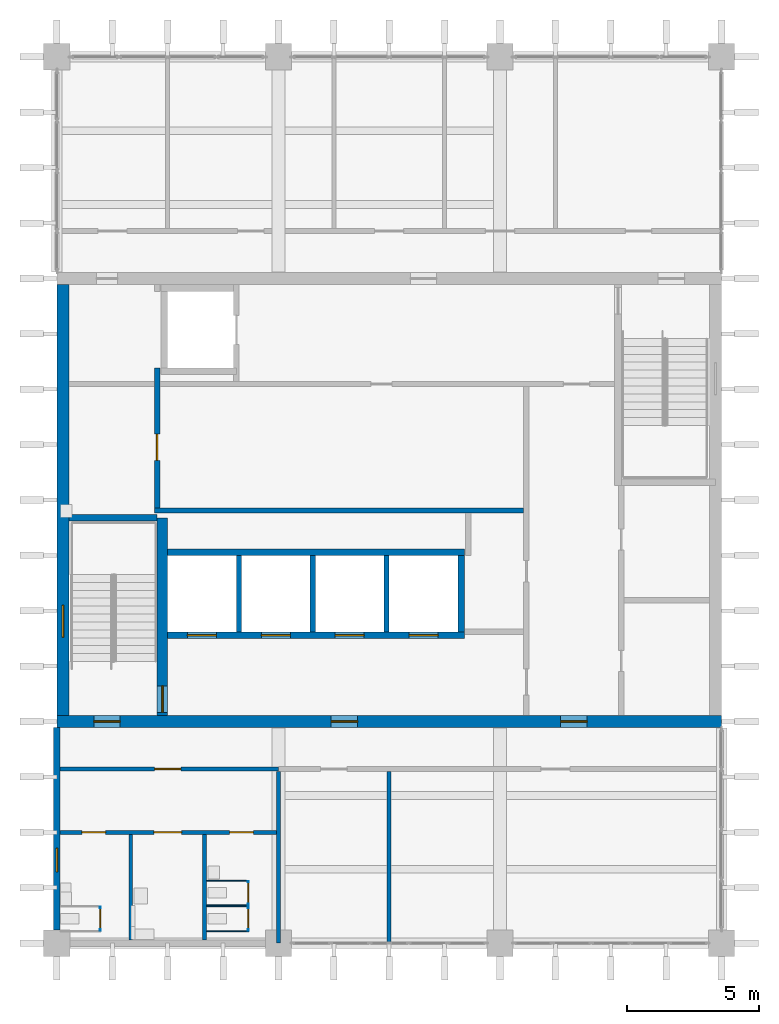
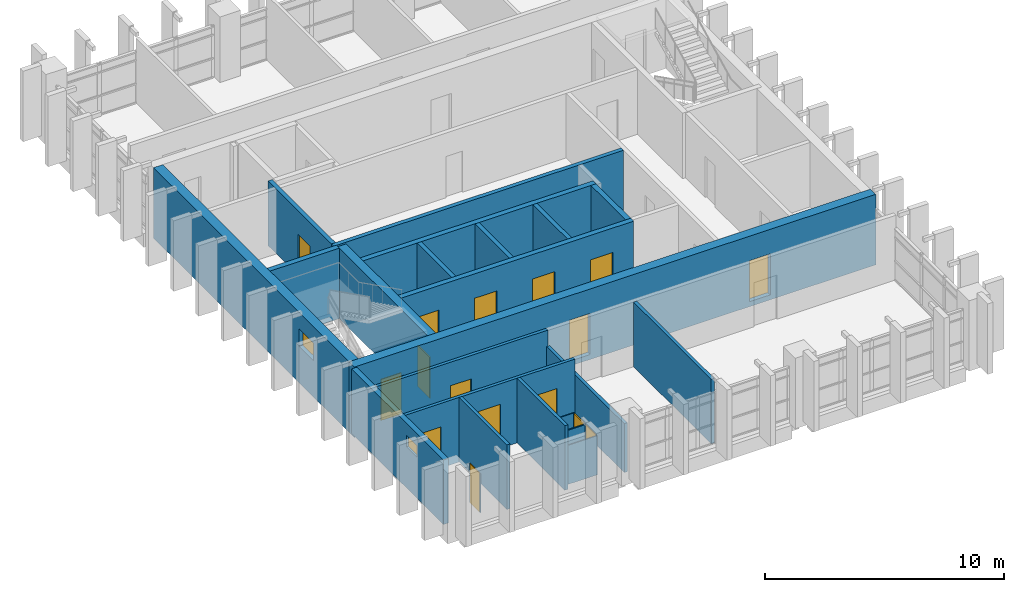
# One storey, part 7 of 11: 26 walls, 16 doors, 2 windows, 18 openings.
"""IFC4 building model written with IfcOpenShell, lengths in metres."""

from ifc_helpers import new_model, si_unit, direction, frame, frame_2d, origin, place, context, subcontext, project, spatial, rectangle, extrude, material, layer, layer_set, type_object, element, fill, save


model = new_model("IFC4")

# Units and contexts
model_context = context("Model", 3, precision=1e-05, world=origin(), true_north=direction((0.0, 1.0)))
body_context = subcontext(model_context, "Body", "Model", "MODEL_VIEW")
ifc_project = project(units=[si_unit("LENGTHUNIT", "METRE"), si_unit("AREAUNIT", "SQUARE_METRE"), si_unit("VOLUMEUNIT", "CUBIC_METRE"), si_unit("PLANEANGLEUNIT", "RADIAN"), si_unit("MASSUNIT", "GRAM", prefix="KILO")], contexts=[model_context])

# Site, building, storey
site_placement = place(None, origin())
site = spatial("IfcSite", under=ifc_project, at=site_placement, CompositionType="ELEMENT")
building_placement = place(site_placement, origin())
building = spatial("IfcBuilding", under=site, at=building_placement, Name="Rulbaag Community and Learning Centre", CompositionType="ELEMENT")
storey_placement = place(building_placement, frame((0.0, 0.0, 18.0)))
storey = spatial("IfcBuildingStorey", under=building, at=storey_placement, Name="L04", CompositionType="ELEMENT", Elevation=18.0)

# Wall, opening, door
ifc_material_1 = material(Name="High pressure laminate", Category="wood")
ifc_layer_1 = layer(ifc_material_1, 0.0400390625)
ifc_layer_set_1 = layer_set([ifc_layer_1], Name="CP-40")
wall_type_1 = type_object("IfcWallType", Name="CP-40", PredefinedType="PARTITIONING", material=ifc_layer_set_1)
wall_1_placement = place(storey_placement, frame((144.449951171875, 84.469970703125, 0.0), z_axis=(0.0, 0.0, 1.0), x_axis=(0.0, 1.0, 0.0)))
wall_1 = element("IfcWall", 1, at=wall_1_placement, inside=storey, type_object=wall_type_1, Name="Cubicle partition", PredefinedType="PARTITIONING", context=body_context, shape_type="SweptSolid", body=[
    extrude(rectangle(XDim=0.900146484375, YDim=0.0400390625, at=frame_2d((0.4501953125, 0.0))), origin(), (0.0, 0.0, 1.0), 2.0),
])
opening_1_placement = place(wall_1_placement, frame((0.050048828125, 0.0, 0.0)))
opening_1 = element("IfcOpeningElement", 2, at=opening_1_placement, cuts=wall_1, Name="Opening L04-D002", PredefinedType="OPENING", context=body_context, shape_type="SweptSolid", body=[
    extrude(rectangle(XDim=0.800048828125, YDim=2.0, at=frame_2d((0.39990234375, 1.0))), frame((0.0, 0.030029296875, 0.0), z_axis=(0.0, -1.0, 0.0), x_axis=(1.0, 0.0, 0.0)), (0.0, 0.0, 1.0), 0.06005859375),
])
door_type_1 = type_object("IfcDoorType", Name="DC-80", OperationType="SINGLE_SWING_LEFT", PredefinedType="DOOR", material=ifc_material_1)
door_1_placement = place(opening_1_placement, origin())
door_1 = element("IfcDoor", 3, at=door_1_placement, inside=storey, type_object=door_type_1, Name="Cubicle door", OperationType="SINGLE_SWING_LEFT", OverallHeight=2.0, OverallWidth=0.800048828125, PredefinedType="DOOR", context=body_context, shape_type="SweptSolid", body=[
    extrude(rectangle(XDim=0.800048828125, YDim=2.0, at=frame_2d((0.39990234375, 1.0))), frame((0.0, 0.019775390625, 0.0), z_axis=(0.0, -1.0, 0.0), x_axis=(1.0, 0.0, 0.0)), (0.0, 0.0, 1.0), 0.03955078125),
])
fill(opening_1, door_1)

# Walls
for number, where, z_axis, x_axis, name in (
    (4, (148.47509765625, 84.449951171875, 0.0), (0.0, 0.0, 1.0), (1.0, 0.0, 0.0), "Cubicle partition"),
    (5, (148.47509765625, 85.389892578125, 0.0), (0.0, 0.0, 1.0), (1.0, 0.0, 0.0), "Cubicle partition"),
):
    element("IfcWall", number, at=place(storey_placement, frame(where, z_axis=z_axis, x_axis=x_axis)), inside=storey, type_object=wall_type_1, Name=name, PredefinedType="PARTITIONING", context=body_context, shape_type="SweptSolid", body=[
        extrude(rectangle(XDim=1.594970703125, YDim=0.0400390625, at=frame_2d((0.79736328125, 0.0))), origin(), (0.0, 0.0, 1.0), 2.0),
    ])

# Wall, opening, door
wall_2_placement = place(storey_placement, frame((150.050048828125, 84.469970703125, 0.0), z_axis=(0.0, 0.0, 1.0), x_axis=(0.0, 1.0, 0.0)))
wall_2 = element("IfcWall", 6, at=wall_2_placement, inside=storey, type_object=wall_type_1, Name="Cubicle partition", PredefinedType="PARTITIONING", context=body_context, shape_type="SweptSolid", body=[
    extrude(rectangle(XDim=0.900146484375, YDim=0.0400390625, at=frame_2d((0.4501953125, 0.0))), origin(), (0.0, 0.0, 1.0), 2.0),
])
opening_2_placement = place(wall_2_placement, frame((0.050048828125, 0.0, 0.0)))
opening_2 = element("IfcOpeningElement", 7, at=opening_2_placement, cuts=wall_2, Name="Opening L04-D013", PredefinedType="OPENING", context=body_context, shape_type="SweptSolid", body=[
    extrude(rectangle(XDim=0.800048828125, YDim=2.0, at=frame_2d((0.39990234375, 1.0))), frame((0.0, 0.030029296875, 0.0), z_axis=(0.0, -1.0, 0.0), x_axis=(1.0, 0.0, 0.0)), (0.0, 0.0, 1.0), 0.06005859375),
])
door_2_placement = place(opening_2_placement, origin())
door_2 = element("IfcDoor", 8, at=door_2_placement, inside=storey, type_object=door_type_1, Name="Cubicle door", OperationType="SINGLE_SWING_LEFT", OverallHeight=2.0, OverallWidth=0.800048828125, PredefinedType="DOOR", context=body_context, shape_type="SweptSolid", body=[
    extrude(rectangle(XDim=0.800048828125, YDim=2.0, at=frame_2d((0.39990234375, 1.0))), frame((0.0, 0.019775390625, 0.0), z_axis=(0.0, -1.0, 0.0), x_axis=(1.0, 0.0, 0.0)), (0.0, 0.0, 1.0), 0.03955078125),
])
fill(opening_2, door_2)

# Walls
for number, where, z_axis, x_axis, name in (
    (9, (148.47509765625, 85.429931640625, 0.0), (0.0, 0.0, 1.0), (1.0, 0.0, 0.0), "Cubicle partition"),
    (10, (148.47509765625, 86.3701171875, 0.0), (0.0, 0.0, 1.0), (1.0, 0.0, 0.0), "Cubicle partition"),
):
    element("IfcWall", number, at=place(storey_placement, frame(where, z_axis=z_axis, x_axis=x_axis)), inside=storey, type_object=wall_type_1, Name=name, PredefinedType="PARTITIONING", context=body_context, shape_type="SweptSolid", body=[
        extrude(rectangle(XDim=1.594970703125, YDim=0.0400390625, at=frame_2d((0.79736328125, 0.0))), origin(), (0.0, 0.0, 1.0), 2.0),
    ])

# Wall, opening, door
wall_3_placement = place(storey_placement, frame((150.050048828125, 85.449951171875, 0.0), z_axis=(0.0, 0.0, 1.0), x_axis=(0.0, 1.0, 0.0)))
wall_3 = element("IfcWall", 11, at=wall_3_placement, inside=storey, type_object=wall_type_1, Name="Cubicle partition", PredefinedType="PARTITIONING", context=body_context, shape_type="SweptSolid", body=[
    extrude(rectangle(XDim=0.900146484375, YDim=0.0400390625, at=frame_2d((0.4501953125, 0.0))), origin(), (0.0, 0.0, 1.0), 2.0),
])
opening_3_placement = place(wall_3_placement, frame((0.050048828125, 0.0, 0.0)))
opening_3 = element("IfcOpeningElement", 12, at=opening_3_placement, cuts=wall_3, Name="Opening L04-D014", PredefinedType="OPENING", context=body_context, shape_type="SweptSolid", body=[
    extrude(rectangle(XDim=0.800048828125, YDim=2.0, at=frame_2d((0.39990234375, 1.0))), frame((0.0, 0.030029296875, 0.0), z_axis=(0.0, -1.0, 0.0), x_axis=(1.0, 0.0, 0.0)), (0.0, 0.0, 1.0), 0.06005859375),
])
door_3_placement = place(opening_3_placement, origin())
door_3 = element("IfcDoor", 13, at=door_3_placement, inside=storey, type_object=door_type_1, Name="Cubicle door", OperationType="SINGLE_SWING_LEFT", OverallHeight=2.0, OverallWidth=0.800048828125, PredefinedType="DOOR", context=body_context, shape_type="SweptSolid", body=[
    extrude(rectangle(XDim=0.800048828125, YDim=2.0, at=frame_2d((0.39990234375, 1.0))), frame((0.0, 0.019775390625, 0.0), z_axis=(0.0, -1.0, 0.0), x_axis=(1.0, 0.0, 0.0)), (0.0, 0.0, 1.0), 0.03955078125),
])
fill(opening_3, door_3)

# Wall, opening, window
ifc_material_2 = material(Name="Concrete M40", Category="concrete")
ifc_layer_2 = layer(ifc_material_2, 0.25)
ifc_layer_set_2 = layer_set([ifc_layer_2], Name="EW-CONC250")
wall_type_2 = type_object("IfcWallType", Name="EW-CONC250", PredefinedType="STANDARD", material=ifc_layer_set_2)
wall_4_placement = place(storey_placement, frame((142.800048828125, 84.5, 0.0), z_axis=(0.0, 0.0, 1.0), x_axis=(0.0, 1.0, 0.0)))
wall_4 = element("IfcWall", 14, at=wall_4_placement, inside=storey, type_object=wall_type_2, Name="Board-marked concrete cladding wall BW", PredefinedType="STANDARD", context=body_context, shape_type="SweptSolid", body=[
    extrude(rectangle(XDim=7.675048828125, YDim=0.25, at=frame_2d((3.83740234375, 0.0))), origin(), (0.0, 0.0, 1.0), 3.300048828125),
])
opening_4_placement = place(wall_4_placement, frame((2.199951171875, 0.0, 2.10009765625)))
opening_4 = element("IfcOpeningElement", 15, at=opening_4_placement, cuts=wall_4, Name="Opening WN5", PredefinedType="OPENING", context=body_context, shape_type="SweptSolid", body=[
    extrude(rectangle(XDim=0.89990234375, YDim=0.60009765625, at=frame_2d((0.449951171875, 0.300048828125))), frame((0.0, 0.135009765625, 0.0), z_axis=(0.0, -1.0, 0.0), x_axis=(1.0, 0.0, 0.0)), (0.0, 0.0, 1.0), 0.27001953125),
])
ifc_material_3 = material(Name="Aluminium", Category="aluminium")
window_type_1 = type_object("IfcWindowType", Name="WK-09", PartitioningType="SINGLE_PANEL", PredefinedType="WINDOW", material=ifc_material_3)
window_1_placement = place(opening_4_placement, origin())
window_1 = element("IfcWindow", 16, at=window_1_placement, inside=storey, type_object=window_type_1, Name="Window WN5", OverallHeight=0.60009765625, OverallWidth=0.89990234375, PartitioningType="SINGLE_PANEL", PredefinedType="WINDOW", context=body_context, shape_type="SweptSolid", body=[
    extrude(rectangle(XDim=0.89990234375, YDim=0.60009765625, at=frame_2d((0.449951171875, 0.300048828125))), frame((0.0, 0.030029296875, 0.0), z_axis=(0.0, -1.0, 0.0), x_axis=(1.0, 0.0, 0.0)), (0.0, 0.0, 1.0), 0.06005859375),
])
fill(opening_4, window_1)

# Wall
ifc_material_4 = material(Name="Concrete blockwork", Category="masonry")
ifc_layer_3 = layer(ifc_material_4, 0.199951171875)
ifc_layer_set_3 = layer_set([ifc_layer_3], Name="FW-200 FIRE WALL 200")
wall_type_3 = type_object("IfcWallType", Name="FW-200 FIRE WALL 200", PredefinedType="SOLIDWALL", material=ifc_layer_set_3)
wall_5_placement = place(storey_placement, frame((146.5, 100.39990234375, 0.0), z_axis=(0.0, 0.0, 1.0), x_axis=(1.0, 0.0, 0.0)))
element("IfcWall", 17, at=wall_5_placement, inside=storey, type_object=wall_type_3, Name="Fire wall L04 8", PredefinedType="SOLIDWALL", context=body_context, shape_type="SweptSolid", body=[
    extrude(rectangle(XDim=14.0, YDim=0.199951171875, at=frame_2d((7.0, 0.0))), origin(), (0.0, 0.0, 1.0), 3.300048828125),
])

# Wall, opening, door
wall_6_placement = place(storey_placement, frame((146.60009765625, 100.5, 0.0), z_axis=(0.0, 0.0, 1.0), x_axis=(0.0, 1.0, 0.0)))
wall_6 = element("IfcWall", 18, at=wall_6_placement, inside=storey, type_object=wall_type_3, Name="Fire wall L04 12", PredefinedType="SOLIDWALL", context=body_context, shape_type="SweptSolid", body=[
    extrude(rectangle(XDim=5.300048828125, YDim=0.199951171875, at=frame_2d((2.64990234375, 0.0))), origin(), (0.0, 0.0, 1.0), 3.300048828125),
])
opening_5_placement = place(wall_6_placement, frame((1.800048828125, 0.0, 0.0)))
opening_5 = element("IfcOpeningElement", 19, at=opening_5_placement, cuts=wall_6, Name="Opening L04-D006", PredefinedType="OPENING", context=body_context, shape_type="SweptSolid", body=[
    extrude(rectangle(XDim=1.0, YDim=2.10009765625, at=frame_2d((0.5, 1.050048828125))), frame((0.0, 0.10986328125, 0.0), z_axis=(0.0, -1.0, 0.0), x_axis=(1.0, 0.0, 0.0)), (0.0, 0.0, 1.0), 0.219970703125),
])
ifc_material_5 = material(Name="Galvanised steel", Category="steel")
door_type_2 = type_object("IfcDoorType", Name="FD-1000 FIRE DOOR 1000 x 2100", OperationType="SINGLE_SWING_LEFT", PredefinedType="DOOR", material=ifc_material_5)
door_4_placement = place(opening_5_placement, origin())
door_4 = element("IfcDoor", 20, at=door_4_placement, inside=storey, type_object=door_type_2, Name="Door L04-D006", OperationType="SINGLE_SWING_LEFT", OverallHeight=2.10009765625, OverallWidth=1.0, PredefinedType="DOOR", context=body_context, shape_type="SweptSolid", body=[
    extrude(rectangle(XDim=1.0, YDim=2.10009765625, at=frame_2d((0.5, 1.050048828125))), frame((0.0, 0.02490234375, 0.0), z_axis=(0.0, -1.0, 0.0), x_axis=(1.0, 0.0, 0.0)), (0.0, 0.0, 1.0), 0.050048828125),
])
fill(opening_5, door_4)

# Wall, openings, doors
ifc_layer_4 = layer(ifc_material_4, 0.14990234375)
ifc_layer_set_4 = layer_set([ifc_layer_4], Name="IP-150 PARTITION 150")
wall_type_4 = type_object("IfcWallType", Name="IP-150 PARTITION 150", PredefinedType="PARTITIONING", material=ifc_layer_set_4)
wall_7_placement = place(storey_placement, frame((142.925048828125, 88.199951171875, 0.0), z_axis=(0.0, 0.0, 1.0), x_axis=(1.0, 0.0, 0.0)))
wall_7 = element("IfcWall", 21, at=wall_7_placement, inside=storey, type_object=wall_type_4, Name="Partition L04 1", PredefinedType="PARTITIONING", context=body_context, shape_type="SweptSolid", body=[
    extrude(rectangle(XDim=8.199951171875, YDim=0.14990234375, at=frame_2d((4.10009765625, 0.0))), origin(), (0.0, 0.0, 1.0), 3.300048828125),
])
opening_6_placement = place(wall_7_placement, frame((0.824951171875, 0.0, 0.0)))
opening_6 = element("IfcOpeningElement", 22, at=opening_6_placement, cuts=wall_7, Name="Opening L04-D001", PredefinedType="OPENING", context=body_context, shape_type="SweptSolid", body=[
    extrude(rectangle(XDim=0.89990234375, YDim=2.10009765625, at=frame_2d((0.449951171875, 1.050048828125))), frame((0.0, 0.0849609375, 0.0), z_axis=(0.0, -1.0, 0.0), x_axis=(1.0, 0.0, 0.0)), (0.0, 0.0, 1.0), 0.169921875),
])
opening_7_placement = place(wall_7_placement, frame((3.550048828125, 0.0, 0.0)))
opening_7 = element("IfcOpeningElement", 23, at=opening_7_placement, cuts=wall_7, Name="Opening L04-D008", PredefinedType="OPENING", context=body_context, shape_type="SweptSolid", body=[
    extrude(rectangle(XDim=1.050048828125, YDim=2.25, at=frame_2d((0.52490234375, 1.125))), frame((0.0, 0.0849609375, 0.0), z_axis=(0.0, -1.0, 0.0), x_axis=(1.0, 0.0, 0.0)), (0.0, 0.0, 1.0), 0.169921875),
])
opening_8_placement = place(wall_7_placement, frame((6.425048828125, 0.0, 0.0)))
opening_8 = element("IfcOpeningElement", 24, at=opening_8_placement, cuts=wall_7, Name="Opening L04-D012", PredefinedType="OPENING", context=body_context, shape_type="SweptSolid", body=[
    extrude(rectangle(XDim=0.89990234375, YDim=2.10009765625, at=frame_2d((0.449951171875, 1.050048828125))), frame((0.0, 0.0849609375, 0.0), z_axis=(0.0, -1.0, 0.0), x_axis=(1.0, 0.0, 0.0)), (0.0, 0.0, 1.0), 0.169921875),
])
ifc_material_6 = material(Name="Timber", Category="wood")
door_type_3 = type_object("IfcDoorType", Name="D-1050 ACCESSIBLE TOILET DOOR 1050 x 2250", OperationType="SINGLE_SWING_LEFT", PredefinedType="DOOR", material=ifc_material_6)
door_5_placement = place(opening_7_placement, origin())
door_5 = element("IfcDoor", 25, at=door_5_placement, inside=storey, type_object=door_type_3, Name="Door L04-D008", OperationType="SINGLE_SWING_LEFT", OverallHeight=2.25, OverallWidth=1.050048828125, PredefinedType="DOOR", context=body_context, shape_type="SweptSolid", body=[
    extrude(rectangle(XDim=1.050048828125, YDim=2.25, at=frame_2d((0.52490234375, 1.125))), frame((0.0, 0.02490234375, 0.0), z_axis=(0.0, -1.0, 0.0), x_axis=(1.0, 0.0, 0.0)), (0.0, 0.0, 1.0), 0.050048828125),
])
fill(opening_7, door_5)
door_type_4 = type_object("IfcDoorType", Name="DW-900 TOILET DOOR 900 x 2100", OperationType="SINGLE_SWING_LEFT", PredefinedType="DOOR", material=ifc_material_6)
door_6_placement = place(opening_6_placement, origin())
door_6 = element("IfcDoor", 26, at=door_6_placement, inside=storey, type_object=door_type_4, Name="Door L04-D001", OperationType="SINGLE_SWING_LEFT", OverallHeight=2.10009765625, OverallWidth=0.89990234375, PredefinedType="DOOR", context=body_context, shape_type="SweptSolid", body=[
    extrude(rectangle(XDim=0.89990234375, YDim=2.10009765625, at=frame_2d((0.449951171875, 1.050048828125))), frame((0.0, 0.02490234375, 0.0), z_axis=(0.0, -1.0, 0.0), x_axis=(1.0, 0.0, 0.0)), (0.0, 0.0, 1.0), 0.050048828125),
])
fill(opening_6, door_6)
door_7_placement = place(opening_8_placement, origin())
door_7 = element("IfcDoor", 27, at=door_7_placement, inside=storey, type_object=door_type_4, Name="Door L04-D012", OperationType="SINGLE_SWING_RIGHT", OverallHeight=2.10009765625, OverallWidth=0.89990234375, PredefinedType="DOOR", context=body_context, shape_type="SweptSolid", body=[
    extrude(rectangle(XDim=0.89990234375, YDim=2.10009765625, at=frame_2d((0.449951171875, 1.050048828125))), frame((0.0, 0.02490234375, 0.0), z_axis=(0.0, -1.0, 0.0), x_axis=(1.0, 0.0, 0.0)), (0.0, 0.0, 1.0), 0.050048828125),
])
fill(opening_8, door_7)

# Wall, opening, door
wall_8_placement = place(storey_placement, frame((142.925048828125, 90.60009765625, 0.0), z_axis=(0.0, 0.0, 1.0), x_axis=(1.0, 0.0, 0.0)))
wall_8 = element("IfcWall", 28, at=wall_8_placement, inside=storey, type_object=wall_type_4, Name="Partition L04 2", PredefinedType="PARTITIONING", context=body_context, shape_type="SweptSolid", body=[
    extrude(rectangle(XDim=8.27490234375, YDim=0.14990234375, at=frame_2d((4.137451171875, 0.0))), origin(), (0.0, 0.0, 1.0), 3.300048828125),
])
opening_9_placement = place(wall_8_placement, frame((3.574951171875, 0.0, 0.0)))
opening_9 = element("IfcOpeningElement", 29, at=opening_9_placement, cuts=wall_8, Name="Opening L04-D009", PredefinedType="OPENING", context=body_context, shape_type="SweptSolid", body=[
    extrude(rectangle(XDim=1.0, YDim=2.10009765625, at=frame_2d((0.5, 1.050048828125))), frame((0.0, 0.0849609375, 0.0), z_axis=(0.0, -1.0, 0.0), x_axis=(1.0, 0.0, 0.0)), (0.0, 0.0, 1.0), 0.169921875),
])
door_type_5 = type_object("IfcDoorType", Name="D-1000 DOOR 1000 x 2100", OperationType="SINGLE_SWING_LEFT", PredefinedType="DOOR", material=ifc_material_6)
door_8_placement = place(opening_9_placement, origin())
door_8 = element("IfcDoor", 30, at=door_8_placement, inside=storey, type_object=door_type_5, Name="Door L04-D009", OperationType="SINGLE_SWING_RIGHT", OverallHeight=2.10009765625, OverallWidth=1.0, PredefinedType="DOOR", context=body_context, shape_type="SweptSolid", body=[
    extrude(rectangle(XDim=1.0, YDim=2.10009765625, at=frame_2d((0.5, 1.050048828125))), frame((0.0, 0.02490234375, 0.0), z_axis=(0.0, -1.0, 0.0), x_axis=(1.0, 0.0, 0.0)), (0.0, 0.0, 1.0), 0.050048828125),
])
fill(opening_9, door_8)

# Walls
for number, where, z_axis, x_axis, name in (
    (31, (145.60009765625, 84.125, 0.0), (0.0, 0.0, 1.0), (0.0, 1.0, 0.0), "Partition L04 11"),
    (32, (148.39990234375, 84.125, 0.0), (0.0, 0.0, 1.0), (0.0, 1.0, 0.0), "Partition L04 15"),
):
    element("IfcWall", number, at=place(storey_placement, frame(where, z_axis=z_axis, x_axis=x_axis)), inside=storey, type_object=wall_type_4, Name=name, PredefinedType="PARTITIONING", context=body_context, shape_type="SweptSolid", body=[
        extrude(rectangle(XDim=4.0, YDim=0.14990234375, at=frame_2d((2.0, 0.0))), origin(), (0.0, 0.0, 1.0), 3.300048828125),
    ])
wall_9_placement = place(storey_placement, frame((151.199951171875, 84.0, 0.0), z_axis=(0.0, 0.0, 1.0), x_axis=(0.0, 1.0, 0.0)))
element("IfcWall", 33, at=wall_9_placement, inside=storey, type_object=wall_type_4, Name="Partition L04 17", PredefinedType="PARTITIONING", context=body_context, shape_type="SweptSolid", body=[
    extrude(rectangle(XDim=6.5, YDim=0.14990234375, at=frame_2d((3.25, 0.0))), origin(), (0.0, 0.0, 1.0), 2.5),
])
wall_10_placement = place(storey_placement, frame((155.39990234375, 84.0, 0.0), z_axis=(0.0, 0.0, 1.0), x_axis=(0.0, 1.0, 0.0)))
element("IfcWall", 34, at=wall_10_placement, inside=storey, type_object=wall_type_4, Name="Partition L04 19", PredefinedType="PARTITIONING", context=body_context, shape_type="SweptSolid", body=[
    extrude(rectangle(XDim=6.5, YDim=0.14990234375, at=frame_2d((3.25, 0.0))), origin(), (0.0, 0.0, 1.0), 3.300048828125),
])

# Wall, openings, doors
ifc_material_7 = material(Name="Concrete M60", Category="concrete")
ifc_layer_5 = layer(ifc_material_7, 0.449951171875)
ifc_layer_set_5 = layer_set([ifc_layer_5], Name="W1 Core wall 450 Concrete M60")
wall_type_5 = type_object("IfcWallType", Name="W1 Core wall 450 Concrete M60", PredefinedType="SHEAR", material=ifc_layer_set_5)
wall_11_placement = place(storey_placement, frame((142.800048828125, 92.39990234375, -0.25), z_axis=(0.0, 0.0, 1.0), x_axis=(1.0, 0.0, 0.0)))
wall_11 = element("IfcWall", 35, at=wall_11_placement, inside=storey, type_object=wall_type_5, Name="WL-CORE-S-L04", PredefinedType="SHEAR", context=body_context, shape_type="SweptSolid", body=[
    extrude(rectangle(XDim=25.199951171875, YDim=0.449951171875, at=frame_2d((12.60009765625, 0.0))), origin(), (0.0, 0.0, 1.0), 3.60009765625),
])
opening_10_placement = place(wall_11_placement, frame((1.39990234375, 0.0, 0.25)))
opening_10 = element("IfcOpeningElement", 36, at=opening_10_placement, cuts=wall_11, Name="Opening L04-D003", PredefinedType="OPENING", context=body_context, shape_type="SweptSolid", body=[
    extrude(rectangle(XDim=1.0, YDim=2.10009765625, at=frame_2d((0.5, 1.050048828125))), frame((0.0, 0.23486328125, 0.0), z_axis=(0.0, -1.0, 0.0), x_axis=(1.0, 0.0, 0.0)), (0.0, 0.0, 1.0), 0.469970703125),
])
opening_11_placement = place(wall_11_placement, frame((19.10009765625, 0.0, 0.25)))
opening_11 = element("IfcOpeningElement", 37, at=opening_11_placement, cuts=wall_11, Name="Opening L04-D028", PredefinedType="OPENING", context=body_context, shape_type="SweptSolid", body=[
    extrude(rectangle(XDim=1.0, YDim=2.10009765625, at=frame_2d((0.5, 1.050048828125))), frame((0.0, 0.23486328125, 0.0), z_axis=(0.0, -1.0, 0.0), x_axis=(1.0, 0.0, 0.0)), (0.0, 0.0, 1.0), 0.469970703125),
])
opening_12_placement = place(wall_11_placement, frame((10.39990234375, 0.0, 0.25)))
opening_12 = element("IfcOpeningElement", 38, at=opening_12_placement, cuts=wall_11, Name="Opening L04-D018", PredefinedType="OPENING", context=body_context, shape_type="SweptSolid", body=[
    extrude(rectangle(XDim=1.0, YDim=2.10009765625, at=frame_2d((0.5, 1.050048828125))), frame((0.0, 0.23486328125, 0.0), z_axis=(0.0, -1.0, 0.0), x_axis=(1.0, 0.0, 0.0)), (0.0, 0.0, 1.0), 0.469970703125),
])
door_9_placement = place(opening_11_placement, origin())
door_9 = element("IfcDoor", 39, at=door_9_placement, inside=storey, type_object=door_type_5, Name="Door L04-D028", OperationType="SINGLE_SWING_LEFT", OverallHeight=2.10009765625, OverallWidth=1.0, PredefinedType="DOOR", context=body_context, shape_type="SweptSolid", body=[
    extrude(rectangle(XDim=1.0, YDim=2.10009765625, at=frame_2d((0.5, 1.050048828125))), frame((0.0, 0.02490234375, 0.0), z_axis=(0.0, -1.0, 0.0), x_axis=(1.0, 0.0, 0.0)), (0.0, 0.0, 1.0), 0.050048828125),
])
fill(opening_11, door_9)
door_10_placement = place(opening_10_placement, origin())
door_10 = element("IfcDoor", 40, at=door_10_placement, inside=storey, type_object=door_type_2, Name="Door L04-D003", OperationType="SINGLE_SWING_RIGHT", OverallHeight=2.10009765625, OverallWidth=1.0, PredefinedType="DOOR", context=body_context, shape_type="SweptSolid", body=[
    extrude(rectangle(XDim=1.0, YDim=2.10009765625, at=frame_2d((0.5, 1.050048828125))), frame((0.0, 0.02490234375, 0.0), z_axis=(0.0, -1.0, 0.0), x_axis=(1.0, 0.0, 0.0)), (0.0, 0.0, 1.0), 0.050048828125),
])
fill(opening_10, door_10)
door_11_placement = place(opening_12_placement, origin())
door_11 = element("IfcDoor", 41, at=door_11_placement, inside=storey, type_object=door_type_2, Name="Door L04-D018", OperationType="SINGLE_SWING_RIGHT", OverallHeight=2.10009765625, OverallWidth=1.0, PredefinedType="DOOR", context=body_context, shape_type="SweptSolid", body=[
    extrude(rectangle(XDim=1.0, YDim=2.10009765625, at=frame_2d((0.5, 1.050048828125))), frame((0.0, 0.02490234375, 0.0), z_axis=(0.0, -1.0, 0.0), x_axis=(1.0, 0.0, 0.0)), (0.0, 0.0, 1.0), 0.050048828125),
])
fill(opening_12, door_11)

# Wall, opening, window
wall_12_placement = place(storey_placement, frame((143.02490234375, 92.625, -0.25), z_axis=(0.0, 0.0, 1.0), x_axis=(0.0, 1.0, 0.0)))
wall_12 = element("IfcWall", 42, at=wall_12_placement, inside=storey, type_object=wall_type_5, Name="WL-CORE-W-L04", PredefinedType="SHEAR", context=body_context, shape_type="SweptSolid", body=[
    extrude(rectangle(XDim=16.35009765625, YDim=0.449951171875, at=frame_2d((8.175048828125, 0.0))), origin(), (0.0, 0.0, 1.0), 3.60009765625),
])
opening_13_placement = place(wall_12_placement, frame((2.97509765625, 0.0, 1.85009765625)))
opening_13 = element("IfcOpeningElement", 43, at=opening_13_placement, cuts=wall_12, Name="Opening WN19", PredefinedType="OPENING", context=body_context, shape_type="SweptSolid", body=[
    extrude(rectangle(XDim=1.199951171875, YDim=0.89990234375, at=frame_2d((0.60009765625, 0.449951171875))), frame((0.0, 0.23486328125, 0.0), z_axis=(0.0, -1.0, 0.0), x_axis=(1.0, 0.0, 0.0)), (0.0, 0.0, 1.0), 0.469970703125),
])
window_type_2 = type_object("IfcWindowType", Name="WS-12", PartitioningType="SINGLE_PANEL", PredefinedType="WINDOW", material=ifc_material_3)
window_2_placement = place(opening_13_placement, origin())
window_2 = element("IfcWindow", 44, at=window_2_placement, inside=storey, type_object=window_type_2, Name="Stair window", OverallHeight=0.89990234375, OverallWidth=1.199951171875, PartitioningType="SINGLE_PANEL", PredefinedType="WINDOW", context=body_context, shape_type="SweptSolid", body=[
    extrude(rectangle(XDim=1.199951171875, YDim=0.89990234375, at=frame_2d((0.60009765625, 0.449951171875))), frame((0.0, 0.030029296875, 0.0), z_axis=(0.0, -1.0, 0.0), x_axis=(1.0, 0.0, 0.0)), (0.0, 0.0, 1.0), 0.06005859375),
])
fill(opening_13, window_2)

# Wall
ifc_layer_6 = layer(ifc_material_2, 0.25)
ifc_layer_set_6 = layer_set([ifc_layer_6], Name="W5 Shaft wall 250 Concrete M40")
wall_type_6 = type_object("IfcWallType", Name="W5 Shaft wall 250 Concrete M40", PredefinedType="SHEAR", material=ifc_layer_set_6)
wall_13_placement = place(storey_placement, frame((143.25, 100.125, -0.25), z_axis=(0.0, 0.0, 1.0), x_axis=(1.0, 0.0, 0.0)))
element("IfcWall", 45, at=wall_13_placement, inside=storey, type_object=wall_type_6, Name="WL-ST1-N-L04", PredefinedType="SHEAR", context=body_context, shape_type="SweptSolid", body=[
    extrude(rectangle(XDim=3.35009765625, YDim=0.25, at=frame_2d((1.675048828125, 0.0))), origin(), (0.0, 0.0, 1.0), 3.60009765625),
])

# Wall, openings, doors
wall_14_placement = place(storey_placement, frame((147.0, 95.675048828125, -0.25), z_axis=(0.0, 0.0, 1.0), x_axis=(1.0, 0.0, 0.0)))
wall_14 = element("IfcWall", 46, at=wall_14_placement, inside=storey, type_object=wall_type_6, Name="WL-LP-S-L04", PredefinedType="SHEAR", context=body_context, shape_type="SweptSolid", body=[
    extrude(rectangle(XDim=11.25, YDim=0.25, at=frame_2d((5.625, 0.0))), origin(), (0.0, 0.0, 1.0), 3.60009765625),
])
opening_14_placement = place(wall_14_placement, frame((0.75, 0.0, 0.25)))
opening_14 = element("IfcOpeningElement", 47, at=opening_14_placement, cuts=wall_14, Name="Opening L04-D010", PredefinedType="OPENING", context=body_context, shape_type="SweptSolid", body=[
    extrude(rectangle(XDim=1.10009765625, YDim=2.10009765625, at=frame_2d((0.550048828125, 1.050048828125))), frame((0.0, 0.135009765625, 0.0), z_axis=(0.0, -1.0, 0.0), x_axis=(1.0, 0.0, 0.0)), (0.0, 0.0, 1.0), 0.27001953125),
])
opening_15_placement = place(wall_14_placement, frame((3.550048828125, 0.0, 0.25)))
opening_15 = element("IfcOpeningElement", 48, at=opening_15_placement, cuts=wall_14, Name="Opening L04-D016", PredefinedType="OPENING", context=body_context, shape_type="SweptSolid", body=[
    extrude(rectangle(XDim=1.10009765625, YDim=2.10009765625, at=frame_2d((0.550048828125, 1.050048828125))), frame((0.0, 0.135009765625, 0.0), z_axis=(0.0, -1.0, 0.0), x_axis=(1.0, 0.0, 0.0)), (0.0, 0.0, 1.0), 0.27001953125),
])
opening_16_placement = place(wall_14_placement, frame((6.35009765625, 0.0, 0.25)))
opening_16 = element("IfcOpeningElement", 49, at=opening_16_placement, cuts=wall_14, Name="Opening L04-D019", PredefinedType="OPENING", context=body_context, shape_type="SweptSolid", body=[
    extrude(rectangle(XDim=1.10009765625, YDim=2.10009765625, at=frame_2d((0.550048828125, 1.050048828125))), frame((0.0, 0.135009765625, 0.0), z_axis=(0.0, -1.0, 0.0), x_axis=(1.0, 0.0, 0.0)), (0.0, 0.0, 1.0), 0.27001953125),
])
opening_17_placement = place(wall_14_placement, frame((9.14990234375, 0.0, 0.25)))
opening_17 = element("IfcOpeningElement", 50, at=opening_17_placement, cuts=wall_14, Name="Opening L04-D022", PredefinedType="OPENING", context=body_context, shape_type="SweptSolid", body=[
    extrude(rectangle(XDim=1.10009765625, YDim=2.10009765625, at=frame_2d((0.550048828125, 1.050048828125))), frame((0.0, 0.135009765625, 0.0), z_axis=(0.0, -1.0, 0.0), x_axis=(1.0, 0.0, 0.0)), (0.0, 0.0, 1.0), 0.27001953125),
])
ifc_material_8 = material(Name="Stainless steel grade 304", Category="steel")
door_type_6 = type_object("IfcDoorType", Name="LD-1100 LIFT LANDING DOOR 1100 x 2100", OperationType="SLIDING_TO_LEFT", PredefinedType="DOOR", material=ifc_material_8)
door_12_placement = place(opening_14_placement, origin())
door_12 = element("IfcDoor", 51, at=door_12_placement, inside=storey, type_object=door_type_6, Name="Lift landing door LP1 L04", OperationType="SLIDING_TO_LEFT", OverallHeight=2.10009765625, OverallWidth=1.10009765625, PredefinedType="DOOR", context=body_context, shape_type="SweptSolid", body=[
    extrude(rectangle(XDim=1.10009765625, YDim=2.10009765625, at=frame_2d((0.550048828125, 1.050048828125))), frame((0.0, 0.02490234375, 0.0), z_axis=(0.0, -1.0, 0.0), x_axis=(1.0, 0.0, 0.0)), (0.0, 0.0, 1.0), 0.050048828125),
])
fill(opening_14, door_12)
door_13_placement = place(opening_15_placement, origin())
door_13 = element("IfcDoor", 52, at=door_13_placement, inside=storey, type_object=door_type_6, Name="Lift landing door LP2 L04", OperationType="SLIDING_TO_LEFT", OverallHeight=2.10009765625, OverallWidth=1.10009765625, PredefinedType="DOOR", context=body_context, shape_type="SweptSolid", body=[
    extrude(rectangle(XDim=1.10009765625, YDim=2.10009765625, at=frame_2d((0.550048828125, 1.050048828125))), frame((0.0, 0.02490234375, 0.0), z_axis=(0.0, -1.0, 0.0), x_axis=(1.0, 0.0, 0.0)), (0.0, 0.0, 1.0), 0.050048828125),
])
fill(opening_15, door_13)
door_14_placement = place(opening_16_placement, origin())
door_14 = element("IfcDoor", 53, at=door_14_placement, inside=storey, type_object=door_type_6, Name="Lift landing door LP3 L04", OperationType="SLIDING_TO_LEFT", OverallHeight=2.10009765625, OverallWidth=1.10009765625, PredefinedType="DOOR", context=body_context, shape_type="SweptSolid", body=[
    extrude(rectangle(XDim=1.10009765625, YDim=2.10009765625, at=frame_2d((0.550048828125, 1.050048828125))), frame((0.0, 0.02490234375, 0.0), z_axis=(0.0, -1.0, 0.0), x_axis=(1.0, 0.0, 0.0)), (0.0, 0.0, 1.0), 0.050048828125),
])
fill(opening_16, door_14)
door_15_placement = place(opening_17_placement, origin())
door_15 = element("IfcDoor", 54, at=door_15_placement, inside=storey, type_object=door_type_6, Name="Lift landing door LP4 L04", OperationType="SLIDING_TO_LEFT", OverallHeight=2.10009765625, OverallWidth=1.10009765625, PredefinedType="DOOR", context=body_context, shape_type="SweptSolid", body=[
    extrude(rectangle(XDim=1.10009765625, YDim=2.10009765625, at=frame_2d((0.550048828125, 1.050048828125))), frame((0.0, 0.02490234375, 0.0), z_axis=(0.0, -1.0, 0.0), x_axis=(1.0, 0.0, 0.0)), (0.0, 0.0, 1.0), 0.050048828125),
])
fill(opening_17, door_15)

# Walls
wall_15_placement = place(storey_placement, frame((147.0, 98.824951171875, -0.25), z_axis=(0.0, 0.0, 1.0), x_axis=(1.0, 0.0, 0.0)))
element("IfcWall", 55, at=wall_15_placement, inside=storey, type_object=wall_type_6, Name="WL-LP-N-L04", PredefinedType="SHEAR", context=body_context, shape_type="SweptSolid", body=[
    extrude(rectangle(XDim=11.25, YDim=0.25, at=frame_2d((5.625, 0.0))), origin(), (0.0, 0.0, 1.0), 3.60009765625),
])
wall_16_placement = place(storey_placement, frame((158.125, 95.800048828125, -0.25), z_axis=(0.0, 0.0, 1.0), x_axis=(0.0, 1.0, 0.0)))
element("IfcWall", 56, at=wall_16_placement, inside=storey, type_object=wall_type_6, Name="WL-LP-E-L04", PredefinedType="SHEAR", context=body_context, shape_type="SweptSolid", body=[
    extrude(rectangle(XDim=2.89990234375, YDim=0.25, at=frame_2d((1.449951171875, 0.0))), origin(), (0.0, 0.0, 1.0), 3.60009765625),
])
ifc_layer_7 = layer(ifc_material_2, 0.199951171875)
ifc_layer_set_7 = layer_set([ifc_layer_7], Name="W6 Shaft divider 200 Concrete M40")
wall_type_7 = type_object("IfcWallType", Name="W6 Shaft divider 200 Concrete M40", PredefinedType="SHEAR", material=ifc_layer_set_7)
for number, where, z_axis, x_axis, name in (
    (57, (149.699951171875, 95.800048828125, -0.25), (0.0, 0.0, 1.0), (0.0, 1.0, 0.0), "WL-LP-D1-L04"),
    (58, (152.5, 95.800048828125, -0.25), (0.0, 0.0, 1.0), (0.0, 1.0, 0.0), "WL-LP-D2-L04"),
    (59, (155.300048828125, 95.800048828125, -0.25), (0.0, 0.0, 1.0), (0.0, 1.0, 0.0), "WL-LP-D3-L04"),
):
    element("IfcWall", number, at=place(storey_placement, frame(where, z_axis=z_axis, x_axis=x_axis)), inside=storey, type_object=wall_type_7, Name=name, PredefinedType="SHEAR", context=body_context, shape_type="SweptSolid", body=[
        extrude(rectangle(XDim=2.89990234375, YDim=0.199951171875, at=frame_2d((1.449951171875, 0.0))), origin(), (0.0, 0.0, 1.0), 3.60009765625),
    ])

# Wall, opening, door
ifc_layer_8 = layer(ifc_material_2, 0.39990234375)
ifc_layer_set_8 = layer_set([ifc_layer_8], Name="W7 Stair wall 400 Concrete M40")
wall_type_8 = type_object("IfcWallType", Name="W7 Stair wall 400 Concrete M40", PredefinedType="SHEAR", material=ifc_layer_set_8)
wall_17_placement = place(storey_placement, frame((146.800048828125, 92.625, -0.25), z_axis=(0.0, 0.0, 1.0), x_axis=(0.0, 1.0, 0.0)))
wall_17 = element("IfcWall", 60, at=wall_17_placement, inside=storey, type_object=wall_type_8, Name="WL-ST1-E-L04", PredefinedType="SHEAR", context=body_context, shape_type="SweptSolid", body=[
    extrude(rectangle(XDim=7.5, YDim=0.39990234375, at=frame_2d((3.75, 0.0))), origin(), (0.0, 0.0, 1.0), 3.60009765625),
])
opening_18_placement = place(wall_17_placement, frame((0.125, 0.0, 0.25)))
opening_18 = element("IfcOpeningElement", 61, at=opening_18_placement, cuts=wall_17, Name="Opening L04-D007", PredefinedType="OPENING", context=body_context, shape_type="SweptSolid", body=[
    extrude(rectangle(XDim=1.0, YDim=2.10009765625, at=frame_2d((0.5, 1.050048828125))), frame((0.0, 0.2099609375, 0.0), z_axis=(0.0, -1.0, 0.0), x_axis=(1.0, 0.0, 0.0)), (0.0, 0.0, 1.0), 0.419921875),
])
door_16_placement = place(opening_18_placement, origin())
door_16 = element("IfcDoor", 62, at=door_16_placement, inside=storey, type_object=door_type_2, Name="Door L04-D007", OperationType="SINGLE_SWING_RIGHT", OverallHeight=2.10009765625, OverallWidth=1.0, PredefinedType="DOOR", context=body_context, shape_type="SweptSolid", body=[
    extrude(rectangle(XDim=1.0, YDim=2.10009765625, at=frame_2d((0.5, 1.050048828125))), frame((0.0, 0.02490234375, 0.0), z_axis=(0.0, -1.0, 0.0), x_axis=(1.0, 0.0, 0.0)), (0.0, 0.0, 1.0), 0.050048828125),
])
fill(opening_18, door_16)

save(model, "model.ifc")
